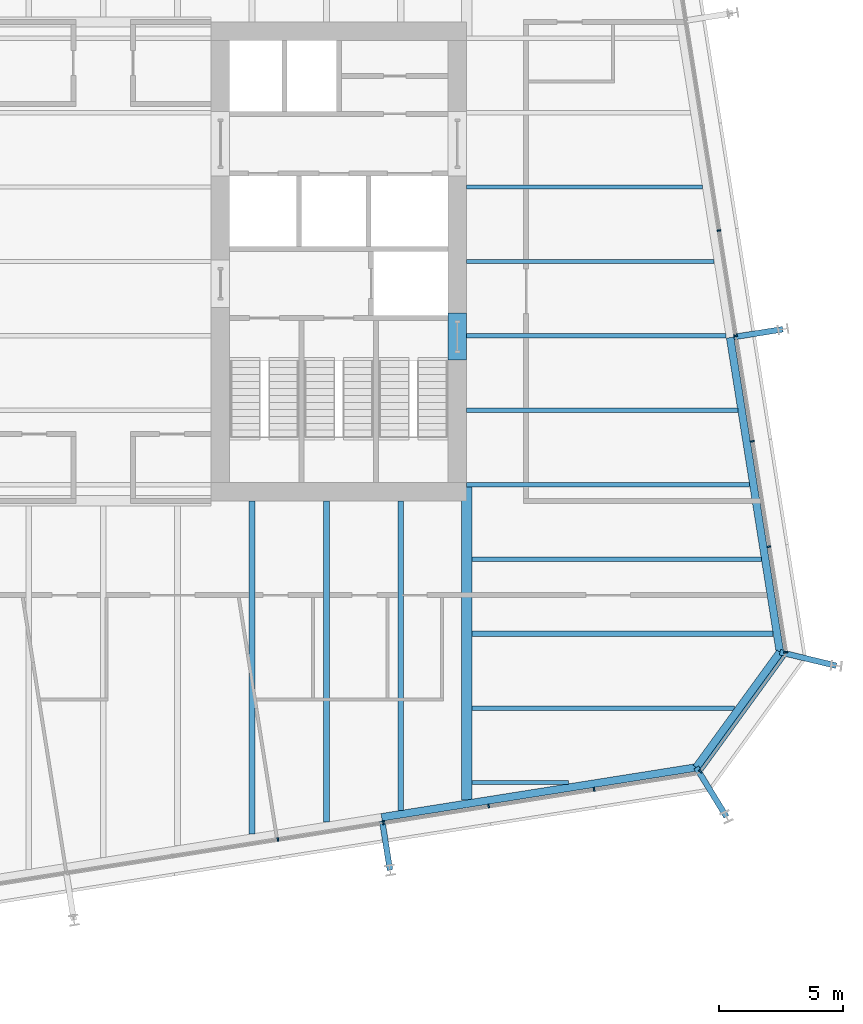
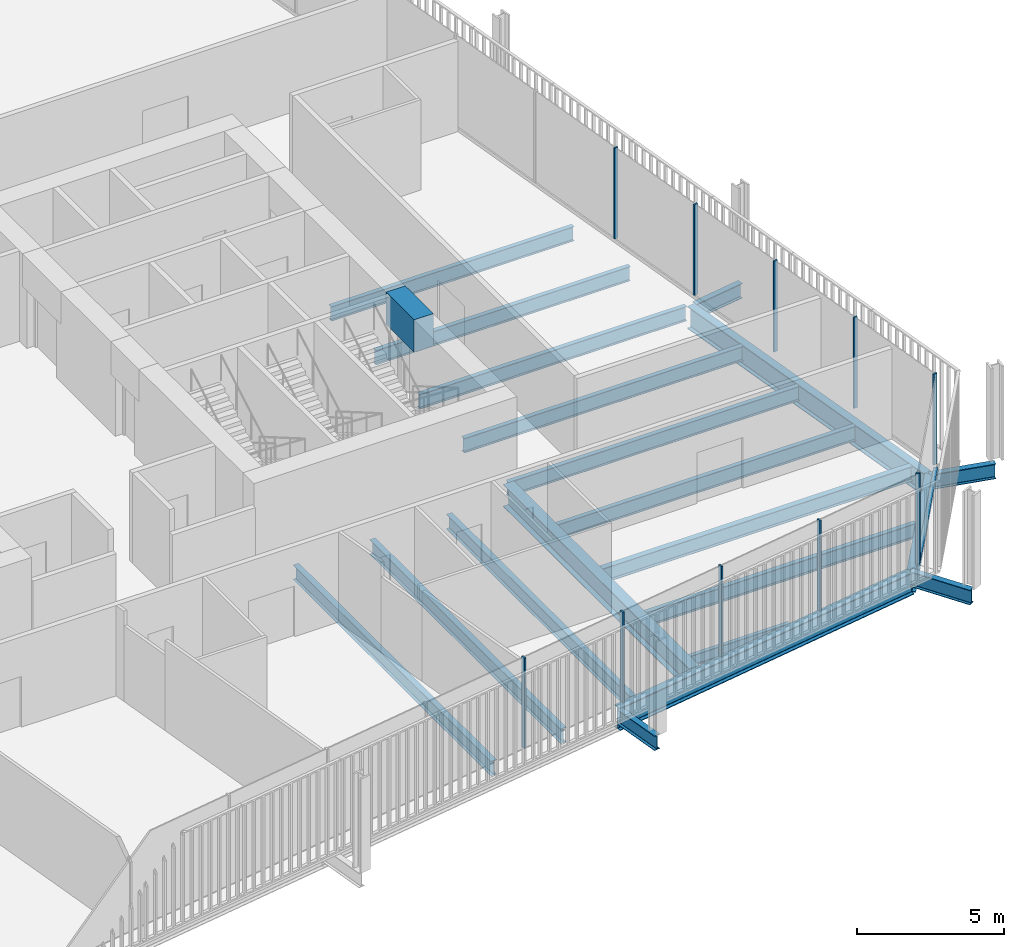
# One storey, part 8 of 21: 21 beams, 11 members, 3 elements without a shape of their own.
"""IFC4 building model written with IfcOpenShell, lengths in metres."""

from ifc_helpers import new_model, si_unit, direction, frame, origin, origin_2d, place, context, subcontext, project, spatial, rectangle, i_section, extrude, material, layer, layer_set, material_profile, profile_set, type_object, element, aggregate, save


model = new_model("IFC4")

# Units and contexts
model_context = context("Model", 3, precision=1e-05, world=origin(), true_north=direction((0.0, 1.0)))
body_context = subcontext(model_context, "Body", "Model", "MODEL_VIEW")
ifc_project = project(units=[si_unit("LENGTHUNIT", "METRE"), si_unit("AREAUNIT", "SQUARE_METRE"), si_unit("VOLUMEUNIT", "CUBIC_METRE"), si_unit("PLANEANGLEUNIT", "RADIAN"), si_unit("MASSUNIT", "GRAM", prefix="KILO")], contexts=[model_context])

# Site, building, storey
site_placement = place(None, origin())
site = spatial("IfcSite", under=ifc_project, at=site_placement, CompositionType="ELEMENT")
building_placement = place(site_placement, origin())
building = spatial("IfcBuilding", under=site, at=building_placement, Name="Millrace Tower", CompositionType="ELEMENT")
storey_placement = place(building_placement, frame((0.0, 0.0, 149.0)))
storey = spatial("IfcBuildingStorey", under=building, at=storey_placement, Name="L33", CompositionType="ELEMENT", Elevation=149.0)

# Curtain wall, members
ifc_material_1 = material(Name="Aluminium and glass", Category="aluminium")
ifc_layer = layer(ifc_material_1, 0.14990234375)
ifc_layer_set = layer_set([ifc_layer], Name="Aluminium and glass")
curtain_wall_type = type_object("IfcCurtainWallType", Name="CW-1 office vision curtain wall", PredefinedType="NOTDEFINED", material=ifc_layer_set)
placement = place(storey_placement, origin())
curtain_wall_1 = element("IfcCurtainWall", 1, at=placement, inside=storey, type_object=curtain_wall_type, Name="Curtain wall C-F02 L33", PredefinedType="NOTDEFINED")
ifc_material_2 = material(Name="Aluminium", Category="aluminium")
ifc_material_profile_1 = material_profile(ifc_material_2, rectangle(XDim=0.06494140625, YDim=0.14990234375, at=origin_2d()))
ifc_profile_set_1 = profile_set([ifc_material_profile_1], Name="Aluminium")
member_type_1 = type_object("IfcMemberType", Name="CW-1 office vision curtain wall mullion", PredefinedType="MULLION", material=ifc_profile_set_1)
member_1_placement = place(storey_placement, frame((7.04345703125, -23.293212890625, 0.139892578125), z_axis=(0.0, 0.0, 1.0), x_axis=(0.98768833929, 0.15643447328, 0.0)))
member_1 = element("IfcMember", 2, at=member_1_placement, type_object=member_type_1, Name="CW1 mullion C-F02.6", PredefinedType="MULLION", context=body_context, shape_type="SweptSolid", body=[
    extrude(rectangle(XDim=0.06494140625, YDim=0.14990234375, at=origin_2d()), origin(), (0.0, 0.0, 1.0), 3.760009765625),
])
member_2_placement = place(storey_placement, frame((11.29052734375, -22.62060546875, 0.139892578125), z_axis=(0.0, 0.0, 1.0), x_axis=(0.98768833929, 0.15643447328, 0.0)))
member_2 = element("IfcMember", 3, at=member_2_placement, type_object=member_type_1, Name="CW1 mullion C-F02.7", PredefinedType="MULLION", context=body_context, shape_type="SweptSolid", body=[
    extrude(rectangle(XDim=0.06494140625, YDim=0.14990234375, at=origin_2d()), origin(), (0.0, 0.0, 1.0), 3.760009765625),
])
member_3_placement = place(storey_placement, frame((15.53759765625, -21.947998046875, 0.139892578125), z_axis=(0.0, 0.0, 1.0), x_axis=(0.98768833929, 0.15643447328, 0.0)))
member_3 = element("IfcMember", 4, at=member_3_placement, type_object=member_type_1, Name="CW1 mullion C-F02.8", PredefinedType="MULLION", context=body_context, shape_type="SweptSolid", body=[
    extrude(rectangle(XDim=0.06494140625, YDim=0.14990234375, at=origin_2d()), origin(), (0.0, 0.0, 1.0), 3.760009765625),
])
member_4_placement = place(storey_placement, frame((19.78466796875, -21.275390625, 0.139892578125), z_axis=(0.0, 0.0, 1.0), x_axis=(0.98768833929, 0.15643447328, 0.0)))
member_4 = element("IfcMember", 5, at=member_4_placement, type_object=member_type_1, Name="CW1 mullion C-F02.9", PredefinedType="MULLION", context=body_context, shape_type="SweptSolid", body=[
    extrude(rectangle(XDim=0.06494140625, YDim=0.14990234375, at=origin_2d()), origin(), (0.0, 0.0, 1.0), 3.760009765625),
])
aggregate(curtain_wall_1, [member_1, member_2, member_3, member_4])

# Curtain wall, member
curtain_wall_2 = element("IfcCurtainWall", 6, at=placement, inside=storey, type_object=curtain_wall_type, Name="Curtain wall C-F03 L33", PredefinedType="NOTDEFINED")
member_5_placement = place(storey_placement, frame((24.06787109375, -20.551513671875, 0.139892578125), z_axis=(0.0, 0.0, 1.0), x_axis=(0.587785269844, 0.809016981623, 0.0)))
member_5 = element("IfcMember", 7, at=member_5_placement, type_object=member_type_1, Name="CW1 mullion C-F03.1", PredefinedType="MULLION", context=body_context, shape_type="SweptSolid", body=[
    extrude(rectangle(XDim=0.06494140625, YDim=0.14990234375, at=origin_2d()), origin(), (0.0, 0.0, 1.0), 3.760009765625),
])

# Curtain wall, members
curtain_wall_3 = element("IfcCurtainWall", 8, at=placement, inside=storey, type_object=curtain_wall_type, Name="Curtain wall C-F04 L33", PredefinedType="NOTDEFINED")
member_6_placement = place(storey_placement, frame((27.506591796875, -15.74169921875, 0.139892578125), z_axis=(0.0, 0.0, 1.0), x_axis=(-0.15643447328, 0.98768833929, 0.0)))
member_6 = element("IfcMember", 9, at=member_6_placement, type_object=member_type_1, Name="CW1 mullion C-F04.1", PredefinedType="MULLION", context=body_context, shape_type="SweptSolid", body=[
    extrude(rectangle(XDim=0.06494140625, YDim=0.14990234375, at=origin_2d()), origin(), (0.0, 0.0, 1.0), 3.760009765625),
])
member_7_placement = place(storey_placement, frame((26.833984375, -11.49462890625, 0.139892578125), z_axis=(0.0, 0.0, 1.0), x_axis=(-0.15643447328, 0.98768833929, 0.0)))
member_7 = element("IfcMember", 10, at=member_7_placement, type_object=member_type_1, Name="CW1 mullion C-F04.2", PredefinedType="MULLION", context=body_context, shape_type="SweptSolid", body=[
    extrude(rectangle(XDim=0.06494140625, YDim=0.14990234375, at=origin_2d()), origin(), (0.0, 0.0, 1.0), 3.760009765625),
])
member_8_placement = place(storey_placement, frame((26.161376953125, -7.24755859375, 0.139892578125), z_axis=(0.0, 0.0, 1.0), x_axis=(-0.15643447328, 0.98768833929, 0.0)))
member_8 = element("IfcMember", 11, at=member_8_placement, type_object=member_type_1, Name="CW1 mullion C-F04.3", PredefinedType="MULLION", context=body_context, shape_type="SweptSolid", body=[
    extrude(rectangle(XDim=0.06494140625, YDim=0.14990234375, at=origin_2d()), origin(), (0.0, 0.0, 1.0), 3.760009765625),
])
member_9_placement = place(storey_placement, frame((25.48876953125, -3.00048828125, 0.139892578125), z_axis=(0.0, 0.0, 1.0), x_axis=(-0.15643447328, 0.98768833929, 0.0)))
member_9 = element("IfcMember", 12, at=member_9_placement, type_object=member_type_1, Name="CW1 mullion C-F04.4", PredefinedType="MULLION", context=body_context, shape_type="SweptSolid", body=[
    extrude(rectangle(XDim=0.06494140625, YDim=0.14990234375, at=origin_2d()), origin(), (0.0, 0.0, 1.0), 3.760009765625),
])
member_10_placement = place(storey_placement, frame((24.81591796875, 1.24658203125, 0.139892578125), z_axis=(0.0, 0.0, 1.0), x_axis=(-0.15643447328, 0.98768833929, 0.0)))
member_10 = element("IfcMember", 13, at=member_10_placement, type_object=member_type_1, Name="CW1 mullion C-F04.5", PredefinedType="MULLION", context=body_context, shape_type="SweptSolid", body=[
    extrude(rectangle(XDim=0.06494140625, YDim=0.14990234375, at=origin_2d()), origin(), (0.0, 0.0, 1.0), 3.760009765625),
])
aggregate(curtain_wall_3, [member_6, member_7, member_8, member_9, member_10])

# Member
ifc_material_3 = material(Name="Aluminium", Category="aluminium")
ifc_material_profile_2 = material_profile(ifc_material_3, rectangle(XDim=0.14990234375, YDim=0.139892578125, at=origin_2d()))
ifc_profile_set_2 = profile_set([ifc_material_profile_2], Name="Aluminium")
member_type_2 = type_object("IfcMemberType", Name="CW-1 office vision curtain wall transom", PredefinedType="USERDEFINED", material=ifc_profile_set_2)
member_11_placement = place(storey_placement, frame((24.107421875, -20.496826171875, 0.070068359375), z_axis=(0.587810581339, 0.808998591139, 0.0), x_axis=(-0.808998591139, 0.587810581339, 0.0)))
member_11 = element("IfcMember", 14, at=member_11_placement, type_object=member_type_2, Name="CW1 transom C-F03.1", ObjectType="TRANSOM", PredefinedType="USERDEFINED", context=body_context, shape_type="SweptSolid", body=[
    extrude(rectangle(XDim=0.14990234375, YDim=0.139892578125, at=origin_2d()), origin(), (0.0, 0.0, 1.0), 5.6689453125),
])

aggregate(curtain_wall_2, [member_5, member_11])

# Beams
ifc_material_4 = material(Name="Concrete C70", Category="concrete")
ifc_material_profile_3 = material_profile(ifc_material_4, rectangle(XDim=0.75, YDim=1.340087890625, at=origin_2d()))
ifc_profile_set_3 = profile_set([ifc_material_profile_3], Name="Concrete C70")
beam_type_1 = type_object("IfcBeamType", Name="Coupling beam 750 x 1340 Concrete C70, 1300 opening", PredefinedType="BEAM", material=ifc_profile_set_3)
beam_1_placement = place(storey_placement, frame((14.27490234375, -2.080078125, 3.070068359375), z_axis=(0.0, -1.0, 0.0), x_axis=(1.0, 0.0, 0.0)))
element("IfcBeam", 15, at=beam_1_placement, inside=storey, type_object=beam_type_1, Name="Coupling beam E L33", PredefinedType="BEAM", context=body_context, shape_type="SweptSolid", body=[
    extrude(rectangle(XDim=0.75, YDim=1.340087890625, at=origin_2d()), origin(), (0.0, 0.0, 1.0), 1.89990234375),
])
ifc_material_5 = material(Name="Steel ASTM A992 Grade 50", Category="steel")
ifc_material_profile_4 = material_profile(ifc_material_5, i_section(OverallWidth=0.15234375, OverallDepth=0.449462890625, WebThickness=0.007568359375, FlangeThickness=0.0107421875, FilletRadius=0.01025390625, at=origin_2d()))
ifc_profile_set_4 = profile_set([ifc_material_profile_4], Name="Steel ASTM A992 Grade 50")
beam_type_2 = type_object("IfcBeamType", Name="Floor beam W18x35", PredefinedType="JOIST", material=ifc_profile_set_4)
beam_2_placement = place(storey_placement, frame((14.859619140625, -21.0, -0.384765625), z_axis=(1.0, 0.0, 0.0), x_axis=(0.0, 1.0, 0.0)))
element("IfcBeam", 16, at=beam_2_placement, inside=storey, type_object=beam_type_2, Name="BM-C-L33-S1-S003", PredefinedType="JOIST", context=body_context, shape_type="SweptSolid", body=[
    extrude(i_section(OverallWidth=0.15234375, OverallDepth=0.449462890625, WebThickness=0.007568359375, FlangeThickness=0.0107421875, FilletRadius=0.01025390625, at=origin_2d()), origin(), (0.0, 0.0, 1.0), 3.9033203125),
])
ifc_material_6 = material(Name="Steel ASTM A992 Grade 50", Category="steel")
ifc_material_profile_5 = material_profile(ifc_material_6, i_section(OverallWidth=0.177978515625, OverallDepth=0.599365234375, WebThickness=0.010009765625, FlangeThickness=0.012939453125, FilletRadius=0.012939453125, at=origin_2d()))
ifc_profile_set_5 = profile_set([ifc_material_profile_5], Name="Steel ASTM A992 Grade 50")
beam_type_3 = type_object("IfcBeamType", Name="Floor beam W24x55", PredefinedType="JOIST", material=ifc_profile_set_5)
beam_3_placement = place(storey_placement, frame((14.64990234375, 0.0, -0.459716796875), z_axis=(1.0, 0.0, 0.0), x_axis=(0.0, 1.0, 0.0)))
element("IfcBeam", 17, at=beam_3_placement, inside=storey, type_object=beam_type_3, Name="BM-C-L33-S1-S021", PredefinedType="JOIST", context=body_context, shape_type="SweptSolid", body=[
    extrude(i_section(OverallWidth=0.177978515625, OverallDepth=0.599365234375, WebThickness=0.010009765625, FlangeThickness=0.012939453125, FilletRadius=0.012939453125, at=origin_2d()), origin(), (0.0, 0.0, 1.0), 9.976318359375),
])
beam_4_placement = place(storey_placement, frame((14.64990234375, 3.0, -0.459716796875), z_axis=(1.0, 0.0, 0.0), x_axis=(0.0, 1.0, 0.0)))
element("IfcBeam", 18, at=beam_4_placement, inside=storey, type_object=beam_type_3, Name="BM-C-L33-S1-S024", PredefinedType="JOIST", context=body_context, shape_type="SweptSolid", body=[
    extrude(i_section(OverallWidth=0.177978515625, OverallDepth=0.599365234375, WebThickness=0.010009765625, FlangeThickness=0.012939453125, FilletRadius=0.012939453125, at=origin_2d()), origin(), (0.0, 0.0, 1.0), 9.501220703125),
])
ifc_material_7 = material(Name="Steel ASTM A992 Grade 50", Category="steel")
ifc_material_profile_6 = material_profile(ifc_material_7, i_section(OverallWidth=0.1787109375, OverallDepth=0.60205078125, WebThickness=0.010986328125, FlangeThickness=0.014892578125, FilletRadius=0.0126953125, at=origin_2d()))
ifc_profile_set_6 = profile_set([ifc_material_profile_6], Name="Steel ASTM A992 Grade 50")
beam_type_4 = type_object("IfcBeamType", Name="Floor beam W24x62", PredefinedType="JOIST", material=ifc_profile_set_6)
beam_5_placement = place(storey_placement, frame((14.859619140625, -12.0, -0.4609375), z_axis=(1.0, 0.0, 0.0), x_axis=(0.0, 1.0, 0.0)))
element("IfcBeam", 19, at=beam_5_placement, inside=storey, type_object=beam_type_4, Name="BM-C-L33-S1-S009", PredefinedType="JOIST", context=body_context, shape_type="SweptSolid", body=[
    extrude(i_section(OverallWidth=0.1787109375, OverallDepth=0.60205078125, WebThickness=0.010986328125, FlangeThickness=0.014892578125, FilletRadius=0.0126953125, at=origin_2d()), origin(), (0.0, 0.0, 1.0), 11.667236328125),
])
beam_6_placement = place(storey_placement, frame((14.64990234375, -9.0, -0.4609375), z_axis=(1.0, 0.0, 0.0), x_axis=(0.0, 1.0, 0.0)))
element("IfcBeam", 20, at=beam_6_placement, inside=storey, type_object=beam_type_4, Name="BM-C-L33-S1-S012", PredefinedType="JOIST", context=body_context, shape_type="SweptSolid", body=[
    extrude(i_section(OverallWidth=0.1787109375, OverallDepth=0.60205078125, WebThickness=0.010986328125, FlangeThickness=0.014892578125, FilletRadius=0.0126953125, at=origin_2d()), origin(), (0.0, 0.0, 1.0), 11.40185546875),
])
beam_7_placement = place(storey_placement, frame((14.64990234375, -6.0, -0.4609375), z_axis=(1.0, 0.0, 0.0), x_axis=(0.0, 1.0, 0.0)))
element("IfcBeam", 21, at=beam_7_placement, inside=storey, type_object=beam_type_4, Name="BM-C-L33-S1-S015", PredefinedType="JOIST", context=body_context, shape_type="SweptSolid", body=[
    extrude(i_section(OverallWidth=0.1787109375, OverallDepth=0.60205078125, WebThickness=0.010986328125, FlangeThickness=0.014892578125, FilletRadius=0.0126953125, at=origin_2d()), origin(), (0.0, 0.0, 1.0), 10.9267578125),
])
beam_8_placement = place(storey_placement, frame((14.64990234375, -3.0, -0.4609375), z_axis=(1.0, 0.0, 0.0), x_axis=(0.0, 1.0, 0.0)))
element("IfcBeam", 22, at=beam_8_placement, inside=storey, type_object=beam_type_4, Name="BM-C-L33-S1-S018", PredefinedType="JOIST", context=body_context, shape_type="SweptSolid", body=[
    extrude(i_section(OverallWidth=0.1787109375, OverallDepth=0.60205078125, WebThickness=0.010986328125, FlangeThickness=0.014892578125, FilletRadius=0.0126953125, at=origin_2d()), origin(), (0.0, 0.0, 1.0), 10.45166015625),
])
beam_9_placement = place(storey_placement, frame((14.859619140625, -18.0, -0.4609375), z_axis=(1.0, 0.0, 0.0), x_axis=(0.0, 1.0, 0.0)))
element("IfcBeam", 23, at=beam_9_placement, inside=storey, type_object=beam_type_4, Name="BM-C-L33-S1-S005", PredefinedType="JOIST", context=body_context, shape_type="SweptSolid", body=[
    extrude(i_section(OverallWidth=0.1787109375, OverallDepth=0.60205078125, WebThickness=0.010986328125, FlangeThickness=0.014892578125, FilletRadius=0.0126953125, at=origin_2d()), origin(), (0.0, 0.0, 1.0), 10.577392578125),
])
ifc_material_8 = material(Name="Steel ASTM A992 Grade 50", Category="steel")
ifc_material_profile_7 = material_profile(ifc_material_8, i_section(OverallWidth=0.228271484375, OverallDepth=0.607177734375, WebThickness=0.01123046875, FlangeThickness=0.017333984375, FilletRadius=0.0126953125, at=origin_2d()))
ifc_profile_set_7 = profile_set([ifc_material_profile_7], Name="Steel ASTM A992 Grade 50")
beam_type_5 = type_object("IfcBeamType", Name="Floor beam W24x76", PredefinedType="JOIST", material=ifc_profile_set_7)
beam_10_placement = place(storey_placement, frame((14.859619140625, -15.0, -0.463623046875), z_axis=(1.0, 0.0, 0.0), x_axis=(0.0, 1.0, 0.0)))
element("IfcBeam", 24, at=beam_10_placement, inside=storey, type_object=beam_type_5, Name="BM-C-L33-S1-S007", PredefinedType="JOIST", context=body_context, shape_type="SweptSolid", body=[
    extrude(i_section(OverallWidth=0.228271484375, OverallDepth=0.607177734375, WebThickness=0.01123046875, FlangeThickness=0.017333984375, FilletRadius=0.0126953125, at=origin_2d()), origin(), (0.0, 0.0, 1.0), 12.142578125),
])
beam_11_placement = place(storey_placement, frame((6.0, -23.071533203125, -0.463623046875), z_axis=(0.0, 1.0, 0.0), x_axis=(-1.0, 0.0, 0.0)))
element("IfcBeam", 25, at=beam_11_placement, inside=storey, type_object=beam_type_5, Name="BM-C-L33-S1-S052", PredefinedType="JOIST", context=body_context, shape_type="SweptSolid", body=[
    extrude(i_section(OverallWidth=0.228271484375, OverallDepth=0.607177734375, WebThickness=0.01123046875, FlangeThickness=0.017333984375, FilletRadius=0.0126953125, at=origin_2d()), origin(), (0.0, 0.0, 1.0), 13.421630859375),
])
beam_12_placement = place(storey_placement, frame((9.0, -22.596435546875, -0.463623046875), z_axis=(0.0, 1.0, 0.0), x_axis=(-1.0, 0.0, 0.0)))
element("IfcBeam", 26, at=beam_12_placement, inside=storey, type_object=beam_type_5, Name="BM-C-L33-S1-S054", PredefinedType="JOIST", context=body_context, shape_type="SweptSolid", body=[
    extrude(i_section(OverallWidth=0.228271484375, OverallDepth=0.607177734375, WebThickness=0.01123046875, FlangeThickness=0.017333984375, FilletRadius=0.0126953125, at=origin_2d()), origin(), (0.0, 0.0, 1.0), 12.946533203125),
])
beam_13_placement = place(storey_placement, frame((12.0, -22.12109375, -0.463623046875), z_axis=(0.0, 1.0, 0.0), x_axis=(-1.0, 0.0, 0.0)))
element("IfcBeam", 27, at=beam_13_placement, inside=storey, type_object=beam_type_5, Name="BM-C-L33-S1-S056", PredefinedType="JOIST", context=body_context, shape_type="SweptSolid", body=[
    extrude(i_section(OverallWidth=0.228271484375, OverallDepth=0.607177734375, WebThickness=0.01123046875, FlangeThickness=0.017333984375, FilletRadius=0.0126953125, at=origin_2d()), origin(), (0.0, 0.0, 1.0), 12.47119140625),
])
ifc_material_9 = material(Name="Steel ASTM A992 Grade 50", Category="steel")
ifc_material_profile_8 = material_profile(ifc_material_9, i_section(OverallWidth=0.419189453125, OverallDepth=0.927001953125, WebThickness=0.019287109375, FlangeThickness=0.031982421875, FilletRadius=0.024169921875, at=origin_2d()))
ifc_profile_set_8 = profile_set([ifc_material_profile_8], Name="Steel ASTM A992 Grade 50")
beam_type_6 = type_object("IfcBeamType", Name="Girder medium span W36x231", PredefinedType="BEAM", material=ifc_profile_set_8)
beam_14_placement = place(storey_placement, frame((14.64990234375, -21.693603515625, -0.62353515625), z_axis=(0.0, 1.0, 0.0), x_axis=(-1.0, 0.0, 0.0)))
element("IfcBeam", 28, at=beam_14_placement, inside=storey, type_object=beam_type_6, Name="BM-C-L33-S1-G060", PredefinedType="BEAM", context=body_context, shape_type="SweptSolid", body=[
    extrude(i_section(OverallWidth=0.419189453125, OverallDepth=0.927001953125, WebThickness=0.019287109375, FlangeThickness=0.031982421875, FilletRadius=0.024169921875, at=origin_2d()), origin(), (0.0, 0.0, 1.0), 12.603515625),
])
ifc_material_10 = material(Name="Steel ASTM A992 Grade 50", Category="steel")
ifc_material_profile_9 = material_profile(ifc_material_10, i_section(OverallWidth=0.23046875, OverallDepth=0.6171875, WebThickness=0.01318359375, FlangeThickness=0.022216796875, FilletRadius=0.012939453125, at=origin_2d()))
ifc_profile_set_9 = profile_set([ifc_material_profile_9], Name="Steel ASTM A992 Grade 50")
beam_type_7 = type_object("IfcBeamType", Name="Link beam W24x94", PredefinedType="BEAM", material=ifc_profile_set_9)
beam_15_placement = place(storey_placement, frame((25.419677734375, -3.04443359375, -0.468505859375), z_axis=(0.987678691416, 0.156495375404, 0.0), x_axis=(-0.156495375404, 0.987678691416, 0.0)))
element("IfcBeam", 29, at=beam_15_placement, inside=storey, type_object=beam_type_7, Name="LNK-C-L33-S1-11", PredefinedType="BEAM", context=body_context, shape_type="SweptSolid", body=[
    extrude(i_section(OverallWidth=0.23046875, OverallDepth=0.6171875, WebThickness=0.01318359375, FlangeThickness=0.022216796875, FilletRadius=0.012939453125, at=origin_2d()), origin(), (0.0, 0.0, 1.0), 2.0),
])
beam_16_placement = place(storey_placement, frame((27.27587890625, -15.746826171875, -0.468505859375), z_axis=(0.972373041068, -0.233432364948, 0.0), x_axis=(0.233432364948, 0.972373041068, 0.0)))
element("IfcBeam", 30, at=beam_16_placement, inside=storey, type_object=beam_type_7, Name="LNK-C-L33-S1-12", PredefinedType="BEAM", context=body_context, shape_type="SweptSolid", body=[
    extrude(i_section(OverallWidth=0.23046875, OverallDepth=0.6171875, WebThickness=0.01318359375, FlangeThickness=0.022216796875, FilletRadius=0.012939453125, at=origin_2d()), origin(), (0.0, 0.0, 1.0), 2.331298828125),
])
beam_17_placement = place(storey_placement, frame((23.901123046875, -20.391845703125, -0.468505859375), z_axis=(0.522512938711, -0.852631355792, 0.0), x_axis=(0.852631355792, 0.522512938711, 0.0)))
element("IfcBeam", 31, at=beam_17_placement, inside=storey, type_object=beam_type_7, Name="LNK-C-L33-S1-13", PredefinedType="BEAM", context=body_context, shape_type="SweptSolid", body=[
    extrude(i_section(OverallWidth=0.23046875, OverallDepth=0.6171875, WebThickness=0.01318359375, FlangeThickness=0.022216796875, FilletRadius=0.012939453125, at=origin_2d()), origin(), (0.0, 0.0, 1.0), 2.3310546875),
])
beam_18_placement = place(storey_placement, frame((11.246826171875, -22.5517578125, -0.468505859375), z_axis=(0.15637629034, -0.987697552806, 0.0), x_axis=(0.987697552806, 0.15637629034, 0.0)))
element("IfcBeam", 32, at=beam_18_placement, inside=storey, type_object=beam_type_7, Name="LNK-C-L33-S1-14", PredefinedType="BEAM", context=body_context, shape_type="SweptSolid", body=[
    extrude(i_section(OverallWidth=0.23046875, OverallDepth=0.6171875, WebThickness=0.01318359375, FlangeThickness=0.022216796875, FilletRadius=0.012939453125, at=origin_2d()), origin(), (0.0, 0.0, 1.0), 2.0),
])
ifc_material_11 = material(Name="Steel ASTM A992 Grade 50", Category="steel")
ifc_material_profile_10 = material_profile(ifc_material_11, i_section(OverallWidth=0.307373046875, OverallDepth=0.927001953125, WebThickness=0.01953125, FlangeThickness=0.031982421875, FilletRadius=0.01904296875, at=origin_2d()))
ifc_profile_set_10 = profile_set([ifc_material_profile_10], Name="Steel ASTM A992 Grade 50")
beam_type_8 = type_object("IfcBeamType", Name="Ring beam medium span W36x194", PredefinedType="SPANDREL", material=ifc_profile_set_10)
for number, where, z_axis, x_axis, name in (
    (33, (25.267822265625, -3.068359375, -0.62353515625), (0.15643330783, -0.987688523879, 0.0), (0.987688523879, 0.15643330783, 0.0), "RNG-C-L33-S1-11"),
    (34, (23.901123046875, -20.391845703125, -0.62353515625), (-0.987688523879, -0.15643330783, 0.0), (0.15643330783, -0.987688523879, 0.0), "RNG-C-L33-S1-13"),
):
    element("IfcBeam", number, at=place(storey_placement, frame(where, z_axis=z_axis, x_axis=x_axis)), inside=storey, type_object=beam_type_8, Name=name, PredefinedType="SPANDREL", context=body_context, shape_type="SweptSolid", body=[
        extrude(i_section(OverallWidth=0.307373046875, OverallDepth=0.927001953125, WebThickness=0.01953125, FlangeThickness=0.031982421875, FilletRadius=0.01904296875, at=origin_2d()), origin(), (0.0, 0.0, 1.0), 12.83642578125),
    ])
ifc_material_12 = material(Name="Steel ASTM A992 Grade 50", Category="steel")
ifc_material_profile_11 = material_profile(ifc_material_12, i_section(OverallWidth=0.307373046875, OverallDepth=0.927001953125, WebThickness=0.01953125, FlangeThickness=0.031982421875, FilletRadius=0.01904296875, at=origin_2d()))
ifc_profile_set_11 = profile_set([ifc_material_profile_11], Name="Steel ASTM A992 Grade 50")
beam_type_9 = type_object("IfcBeamType", Name="Ring beam short span W36x194", PredefinedType="SPANDREL", material=ifc_profile_set_11)
beam_19_placement = place(storey_placement, frame((27.27587890625, -15.746826171875, -0.62353515625), z_axis=(-0.58777973792, -0.809021000772, 0.0), x_axis=(0.809021000772, -0.58777973792, 0.0)))
element("IfcBeam", 35, at=beam_19_placement, inside=storey, type_object=beam_type_9, Name="RNG-C-L33-S1-12", PredefinedType="SPANDREL", context=body_context, shape_type="SweptSolid", body=[
    extrude(i_section(OverallWidth=0.307373046875, OverallDepth=0.927001953125, WebThickness=0.01953125, FlangeThickness=0.031982421875, FilletRadius=0.01904296875, at=origin_2d()), origin(), (0.0, 0.0, 1.0), 5.741455078125),
])

save(model, "model.ifc")
